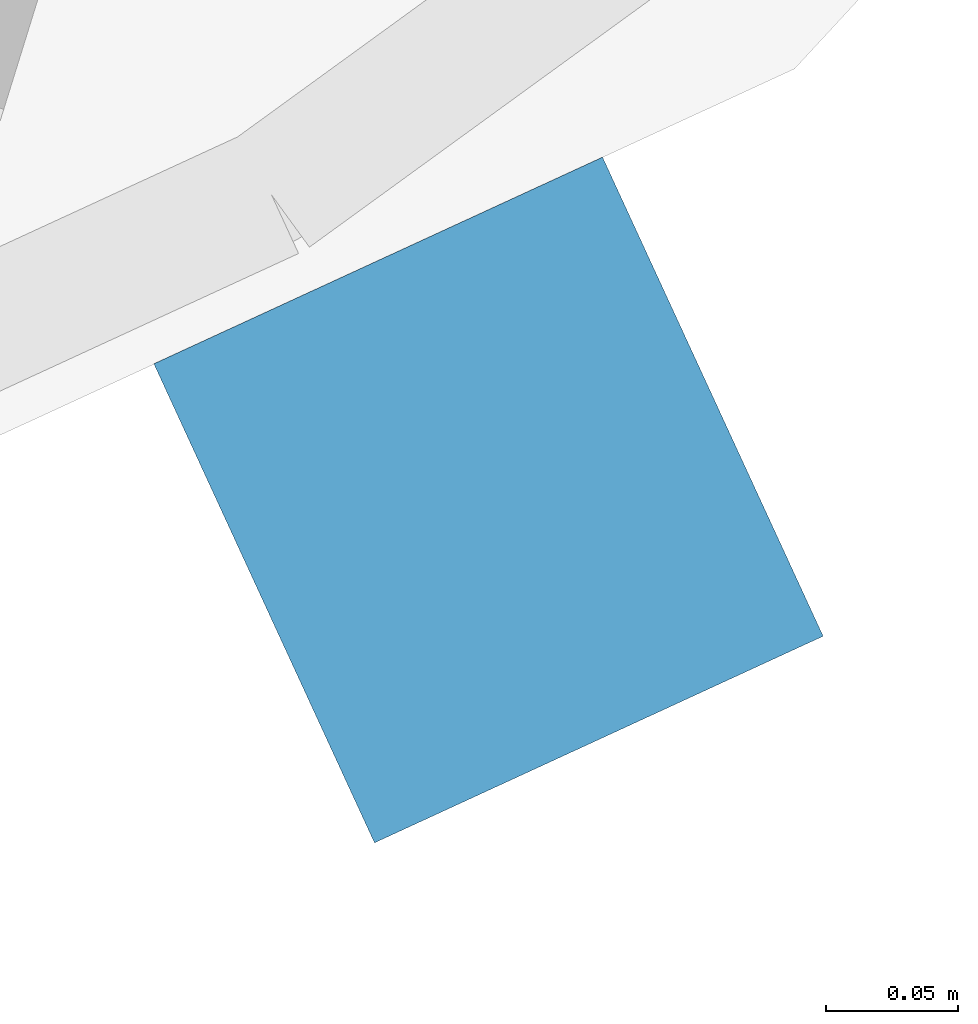
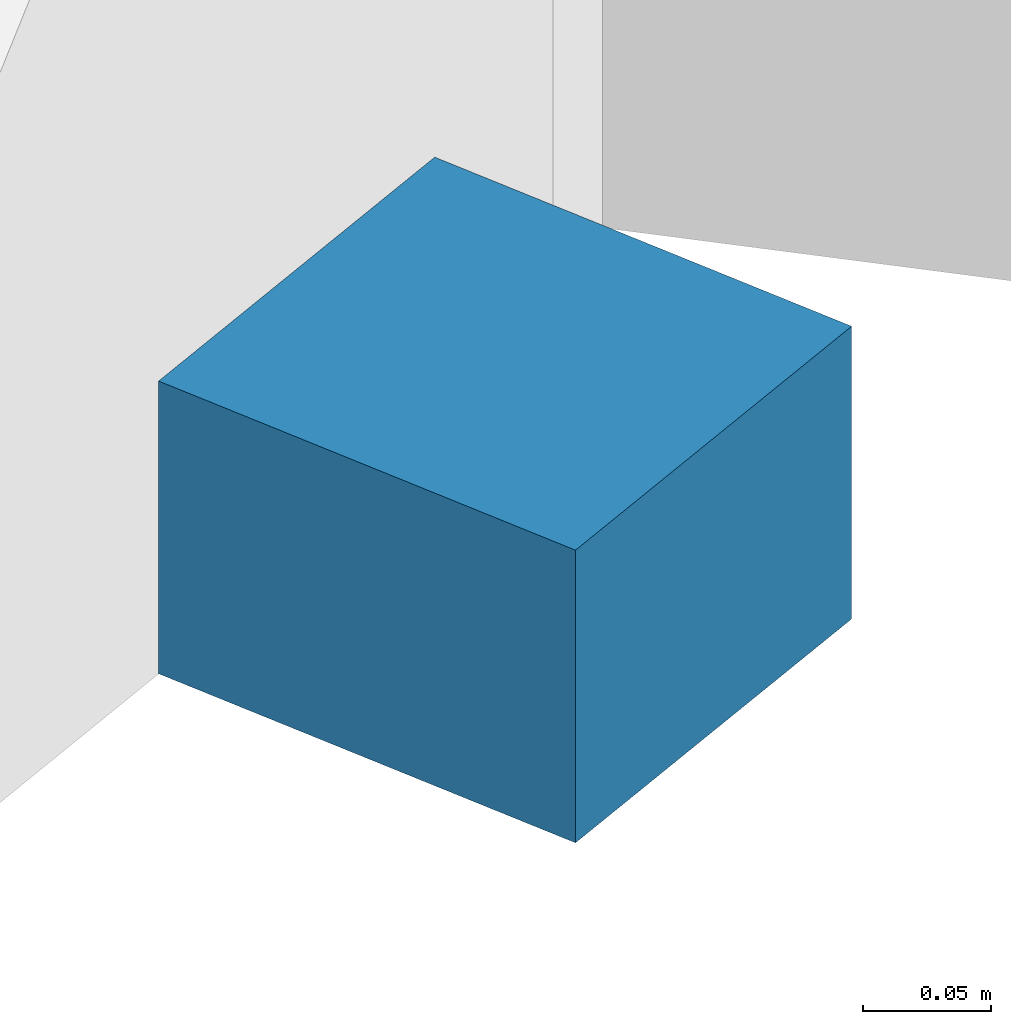
# One storey, part 13 of 26: 1 member, 1 element without a shape of its own.
"""IFC4 building model written with IfcOpenShell, lengths in metres."""

from ifc_helpers import new_model, si_unit, direction, frame, origin, origin_2d, place, context, subcontext, project, spatial, rectangle, extrude, material, material_profile, profile_set, type_object, element, aggregate, save


model = new_model("IFC4")

# Units and contexts
model_context = context("Model", 3, precision=1e-05, world=origin(), true_north=direction((0.0, 1.0)))
body_context = subcontext(model_context, "Body", "Model", "MODEL_VIEW")
ifc_project = project(units=[si_unit("LENGTHUNIT", "METRE"), si_unit("AREAUNIT", "SQUARE_METRE"), si_unit("VOLUMEUNIT", "CUBIC_METRE"), si_unit("PLANEANGLEUNIT", "RADIAN"), si_unit("MASSUNIT", "GRAM", prefix="KILO")], contexts=[model_context])

# Site, building, storey
site_placement = place(None, origin())
site = spatial("IfcSite", under=ifc_project, at=site_placement, CompositionType="ELEMENT")
building_placement = place(site_placement, origin())
building = spatial("IfcBuilding", under=site, at=building_placement, Name="Orlundy Tower", CompositionType="ELEMENT")
storey_placement = place(building_placement, frame((0.0, 0.0, 228.0)))
storey = spatial("IfcBuildingStorey", under=building, at=storey_placement, Name="L60", CompositionType="ELEMENT", Elevation=228.0)

# Curtain wall, member
ifc_material_1 = material(Name="Aluminium bronze anodised", Category="aluminium")
curtain_wall_type = type_object("IfcCurtainWallType", Name="CW5 wall", PredefinedType="NOTDEFINED", material=ifc_material_1)
curtain_wall_placement = place(storey_placement, origin())
curtain_wall = element("IfcCurtainWall", 1, at=curtain_wall_placement, inside=storey, type_object=curtain_wall_type, Name="CW5 run 028", PredefinedType="NOTDEFINED")
ifc_material_2 = material(Name="Aluminium bronze anodised", Category="aluminium")
ifc_material_profile = material_profile(ifc_material_2, rectangle(XDim=0.199951171875, YDim=0.139892578125, at=origin_2d()), Name="CW5 transom 200x140")
ifc_profile_set = profile_set([ifc_material_profile], Name="Aluminium bronze anodised")
member_type = type_object("IfcMemberType", Name="CW5 transom 200x140", PredefinedType="USERDEFINED", material=ifc_profile_set)
member_placement = place(storey_placement, frame((37.175048828125, -11.016357421875, -0.35009765625), z_axis=(-0.908302351228, -0.418314282273, 0.0), x_axis=(0.418314282273, -0.908302351228, 0.0)))
member = element("IfcMember", 2, at=member_placement, type_object=member_type, Name="CW5 transom", ObjectType="TRANSOM", PredefinedType="USERDEFINED", context=body_context, shape_type="SweptSolid", body=[
    extrude(rectangle(XDim=0.199951171875, YDim=0.139892578125, at=origin_2d()), origin(), (0.0, 0.0, 1.0), 0.187255859375),
])
aggregate(curtain_wall, [member])

save(model, "model.ifc")
